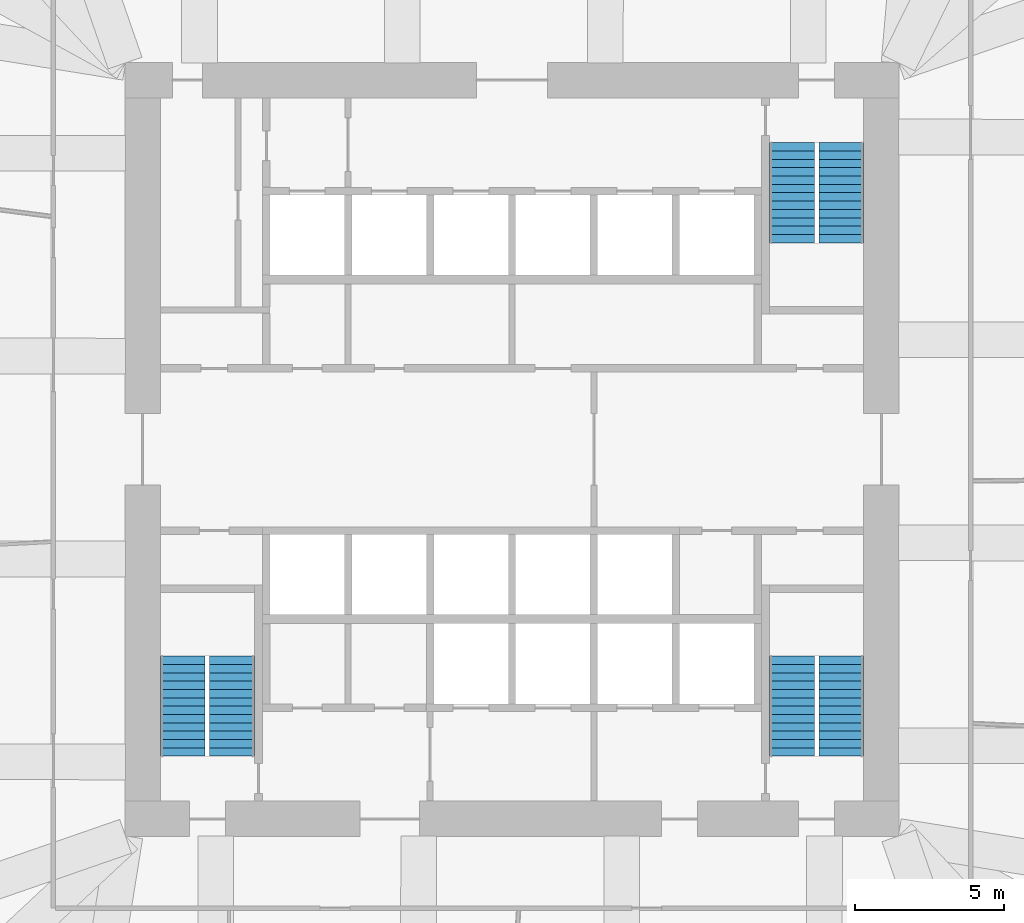
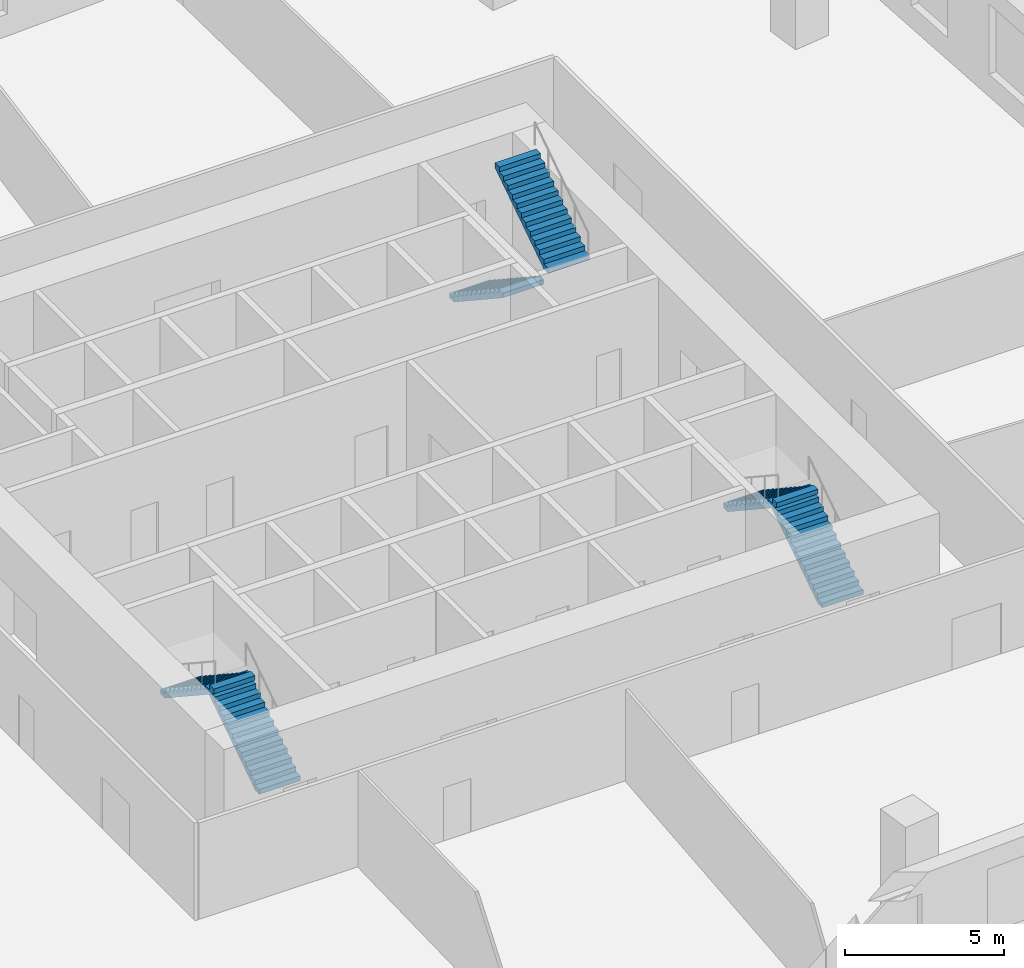
# One storey, part 8 of 10: 6 stair flights, 3 elements without a shape of their own.
"""IFC4 building model written with IfcOpenShell, lengths in metres."""

from ifc_helpers import new_model, si_unit, direction, frame, origin, place, context, subcontext, project, spatial, polyline, outline, extrude, material, type_object, element, aggregate, save


model = new_model("IFC4")

# Units and contexts
model_context = context("Model", 3, precision=1e-05, world=origin(), true_north=direction((0.0, 1.0)))
body_context = subcontext(model_context, "Body", "Model", "MODEL_VIEW")
ifc_project = project(units=[si_unit("LENGTHUNIT", "METRE"), si_unit("AREAUNIT", "SQUARE_METRE"), si_unit("VOLUMEUNIT", "CUBIC_METRE"), si_unit("PLANEANGLEUNIT", "RADIAN"), si_unit("MASSUNIT", "GRAM", prefix="KILO")], contexts=[model_context])

# Site, building, storey
site_placement = place(None, origin())
site = spatial("IfcSite", under=ifc_project, at=site_placement, CompositionType="ELEMENT")
building_placement = place(site_placement, origin())
building = spatial("IfcBuilding", under=site, at=building_placement, Name="Dilmun Exchange Tower", CompositionType="ELEMENT")
storey_placement = place(building_placement, frame((0.0, 0.0, 22.5)))
storey = spatial("IfcBuildingStorey", under=building, at=storey_placement, Name="L05", CompositionType="ELEMENT", Elevation=22.5)

# Stair, stair flights
ifc_material = material(Name="Concrete C40/50", Category="concrete")
stair_type = type_object("IfcStairType", Name="Exit stair 1500 half-turn", PredefinedType="HALF_TURN_STAIR", material=ifc_material)
stair_1_placement = place(storey_placement, origin())
stair_1 = element("IfcStair", 1, at=stair_1_placement, inside=storey, type_object=stair_type, Name="L05 Protected exit stair ST1", PredefinedType="HALF_TURN_STAIR")
stair_flight_type = type_object("IfcStairFlightType", Name="Exit stair flight 1500", PredefinedType="STRAIGHT", material=ifc_material)
stair_flight_1_placement = place(storey_placement, frame((9.39990234375, 10.300048828125, 0.0), z_axis=(0.0, 0.0, 1.0), x_axis=(0.0, -1.0, 0.0)))
stair_flight_1 = element("IfcStairFlight", 2, at=stair_flight_1_placement, type_object=stair_flight_type, Name="ST1 flight 1", NumberOfRisers=13, NumberOfTreads=12, PredefinedType="STRAIGHT", RiserHeight=0.184615385, TreadLength=0.28, context=body_context, shape_type="SweptSolid", body=[
    extrude(outline(polyline([(0.0, 0.0), (0.0, 0.1845703125), (0.280029296875, 0.1845703125), (0.280029296875, 0.369140625), (0.56005859375, 0.369140625), (0.56005859375, 0.553955078125), (0.840087890625, 0.553955078125), (0.840087890625, 0.738525390625), (1.1201171875, 0.738525390625), (1.1201171875, 0.923095703125), (1.39990234375, 0.923095703125), (1.39990234375, 1.107666015625), (1.679931640625, 1.107666015625), (1.679931640625, 1.292236328125), (1.9599609375, 1.292236328125), (1.9599609375, 1.476806640625), (2.239990234375, 1.476806640625), (2.239990234375, 1.66162109375), (2.52001953125, 1.66162109375), (2.52001953125, 1.84619140625), (2.800048828125, 1.84619140625), (2.800048828125, 2.03076171875), (3.080078125, 2.03076171875), (3.080078125, 2.21533203125), (3.360107421875, 2.21533203125), (3.360107421875, 2.39990234375), (3.360107421875, 2.035888671875), (0.272216796875, 0.0), (0.0, 0.0)])), frame((0.0, 0.75, 0.0), z_axis=(0.0, -1.0, 0.0), x_axis=(1.0, 0.0, 0.0)), (0.0, 0.0, 1.0), 1.5),
])
stair_flight_2_placement = place(storey_placement, frame((11.050048828125, 6.93994140625, 2.39990234375), z_axis=(0.0, 0.0, 1.0), x_axis=(0.0, 1.0, 0.0)))
stair_flight_2 = element("IfcStairFlight", 3, at=stair_flight_2_placement, type_object=stair_flight_type, Name="ST1 flight 2", NumberOfRisers=13, NumberOfTreads=12, PredefinedType="STRAIGHT", RiserHeight=0.184615385, TreadLength=0.28, context=body_context, shape_type="SweptSolid", body=[
    extrude(outline(polyline([(0.0, 0.0), (0.0, 0.1845703125), (0.280029296875, 0.1845703125), (0.280029296875, 0.369140625), (0.56005859375, 0.369140625), (0.56005859375, 0.553955078125), (0.840087890625, 0.553955078125), (0.840087890625, 0.738525390625), (1.1201171875, 0.738525390625), (1.1201171875, 0.923095703125), (1.39990234375, 0.923095703125), (1.39990234375, 1.107666015625), (1.679931640625, 1.107666015625), (1.679931640625, 1.292236328125), (1.9599609375, 1.292236328125), (1.9599609375, 1.476806640625), (2.239990234375, 1.476806640625), (2.239990234375, 1.66162109375), (2.52001953125, 1.66162109375), (2.52001953125, 1.84619140625), (2.800048828125, 1.84619140625), (2.800048828125, 2.03076171875), (3.080078125, 2.03076171875), (3.080078125, 2.21533203125), (3.360107421875, 2.21533203125), (3.360107421875, 2.39990234375), (3.360107421875, 2.035888671875), (0.272216796875, 0.0), (0.0, 0.0)])), frame((0.0, 0.75, 0.0), z_axis=(0.0, -1.0, 0.0), x_axis=(1.0, 0.0, 0.0)), (0.0, 0.0, 1.0), 1.5),
])
aggregate(stair_1, [stair_flight_1, stair_flight_2])

stair_2_placement = place(storey_placement, origin())
stair_2 = element("IfcStair", 4, at=stair_2_placement, inside=storey, type_object=stair_type, Name="L05 Protected exit stair ST2", PredefinedType="HALF_TURN_STAIR")
stair_flight_3_placement = place(storey_placement, frame((-9.39990234375, -10.300048828125, 0.0), z_axis=(0.0, 0.0, 1.0), x_axis=(0.0, 1.0, 0.0)))
stair_flight_3 = element("IfcStairFlight", 5, at=stair_flight_3_placement, type_object=stair_flight_type, Name="ST2 flight 1", NumberOfRisers=13, NumberOfTreads=12, PredefinedType="STRAIGHT", RiserHeight=0.184615385, TreadLength=0.28, context=body_context, shape_type="SweptSolid", body=[
    extrude(outline(polyline([(0.0, 0.0), (0.0, 0.1845703125), (0.280029296875, 0.1845703125), (0.280029296875, 0.369140625), (0.56005859375, 0.369140625), (0.56005859375, 0.553955078125), (0.840087890625, 0.553955078125), (0.840087890625, 0.738525390625), (1.1201171875, 0.738525390625), (1.1201171875, 0.923095703125), (1.39990234375, 0.923095703125), (1.39990234375, 1.107666015625), (1.679931640625, 1.107666015625), (1.679931640625, 1.292236328125), (1.9599609375, 1.292236328125), (1.9599609375, 1.476806640625), (2.239990234375, 1.476806640625), (2.239990234375, 1.66162109375), (2.52001953125, 1.66162109375), (2.52001953125, 1.84619140625), (2.800048828125, 1.84619140625), (2.800048828125, 2.03076171875), (3.080078125, 2.03076171875), (3.080078125, 2.21533203125), (3.360107421875, 2.21533203125), (3.360107421875, 2.39990234375), (3.360107421875, 2.035888671875), (0.272216796875, 0.0), (0.0, 0.0)])), frame((0.0, 0.75, 0.0), z_axis=(0.0, -1.0, 0.0), x_axis=(1.0, 0.0, 0.0)), (0.0, 0.0, 1.0), 1.5),
])
stair_flight_4_placement = place(storey_placement, frame((-11.050048828125, -6.93994140625, 2.39990234375), z_axis=(0.0, 0.0, 1.0), x_axis=(0.0, -1.0, 0.0)))
stair_flight_4 = element("IfcStairFlight", 6, at=stair_flight_4_placement, type_object=stair_flight_type, Name="ST2 flight 2", NumberOfRisers=13, NumberOfTreads=12, PredefinedType="STRAIGHT", RiserHeight=0.184615385, TreadLength=0.28, context=body_context, shape_type="SweptSolid", body=[
    extrude(outline(polyline([(0.0, 0.0), (0.0, 0.1845703125), (0.280029296875, 0.1845703125), (0.280029296875, 0.369140625), (0.56005859375, 0.369140625), (0.56005859375, 0.553955078125), (0.840087890625, 0.553955078125), (0.840087890625, 0.738525390625), (1.1201171875, 0.738525390625), (1.1201171875, 0.923095703125), (1.39990234375, 0.923095703125), (1.39990234375, 1.107666015625), (1.679931640625, 1.107666015625), (1.679931640625, 1.292236328125), (1.9599609375, 1.292236328125), (1.9599609375, 1.476806640625), (2.239990234375, 1.476806640625), (2.239990234375, 1.66162109375), (2.52001953125, 1.66162109375), (2.52001953125, 1.84619140625), (2.800048828125, 1.84619140625), (2.800048828125, 2.03076171875), (3.080078125, 2.03076171875), (3.080078125, 2.21533203125), (3.360107421875, 2.21533203125), (3.360107421875, 2.39990234375), (3.360107421875, 2.035888671875), (0.272216796875, 0.0), (0.0, 0.0)])), frame((0.0, 0.75, 0.0), z_axis=(0.0, -1.0, 0.0), x_axis=(1.0, 0.0, 0.0)), (0.0, 0.0, 1.0), 1.5),
])
aggregate(stair_2, [stair_flight_3, stair_flight_4])

stair_3_placement = place(storey_placement, origin())
stair_3 = element("IfcStair", 7, at=stair_3_placement, inside=storey, type_object=stair_type, Name="L05 Protected exit stair ST3", PredefinedType="HALF_TURN_STAIR")
stair_flight_5_placement = place(storey_placement, frame((11.050048828125, -10.300048828125, 0.0), z_axis=(0.0, 0.0, 1.0), x_axis=(0.0, 1.0, 0.0)))
stair_flight_5 = element("IfcStairFlight", 8, at=stair_flight_5_placement, type_object=stair_flight_type, Name="ST3 flight 1", NumberOfRisers=13, NumberOfTreads=12, PredefinedType="STRAIGHT", RiserHeight=0.184615385, TreadLength=0.28, context=body_context, shape_type="SweptSolid", body=[
    extrude(outline(polyline([(0.0, 0.0), (0.0, 0.1845703125), (0.280029296875, 0.1845703125), (0.280029296875, 0.369140625), (0.56005859375, 0.369140625), (0.56005859375, 0.553955078125), (0.840087890625, 0.553955078125), (0.840087890625, 0.738525390625), (1.1201171875, 0.738525390625), (1.1201171875, 0.923095703125), (1.39990234375, 0.923095703125), (1.39990234375, 1.107666015625), (1.679931640625, 1.107666015625), (1.679931640625, 1.292236328125), (1.9599609375, 1.292236328125), (1.9599609375, 1.476806640625), (2.239990234375, 1.476806640625), (2.239990234375, 1.66162109375), (2.52001953125, 1.66162109375), (2.52001953125, 1.84619140625), (2.800048828125, 1.84619140625), (2.800048828125, 2.03076171875), (3.080078125, 2.03076171875), (3.080078125, 2.21533203125), (3.360107421875, 2.21533203125), (3.360107421875, 2.39990234375), (3.360107421875, 2.035888671875), (0.272216796875, 0.0), (0.0, 0.0)])), frame((0.0, 0.75, 0.0), z_axis=(0.0, -1.0, 0.0), x_axis=(1.0, 0.0, 0.0)), (0.0, 0.0, 1.0), 1.5),
])
stair_flight_6_placement = place(storey_placement, frame((9.39990234375, -6.93994140625, 2.39990234375), z_axis=(0.0, 0.0, 1.0), x_axis=(0.0, -1.0, 0.0)))
stair_flight_6 = element("IfcStairFlight", 9, at=stair_flight_6_placement, type_object=stair_flight_type, Name="ST3 flight 2", NumberOfRisers=13, NumberOfTreads=12, PredefinedType="STRAIGHT", RiserHeight=0.184615385, TreadLength=0.28, context=body_context, shape_type="SweptSolid", body=[
    extrude(outline(polyline([(0.0, 0.0), (0.0, 0.1845703125), (0.280029296875, 0.1845703125), (0.280029296875, 0.369140625), (0.56005859375, 0.369140625), (0.56005859375, 0.553955078125), (0.840087890625, 0.553955078125), (0.840087890625, 0.738525390625), (1.1201171875, 0.738525390625), (1.1201171875, 0.923095703125), (1.39990234375, 0.923095703125), (1.39990234375, 1.107666015625), (1.679931640625, 1.107666015625), (1.679931640625, 1.292236328125), (1.9599609375, 1.292236328125), (1.9599609375, 1.476806640625), (2.239990234375, 1.476806640625), (2.239990234375, 1.66162109375), (2.52001953125, 1.66162109375), (2.52001953125, 1.84619140625), (2.800048828125, 1.84619140625), (2.800048828125, 2.03076171875), (3.080078125, 2.03076171875), (3.080078125, 2.21533203125), (3.360107421875, 2.21533203125), (3.360107421875, 2.39990234375), (3.360107421875, 2.035888671875), (0.272216796875, 0.0), (0.0, 0.0)])), frame((0.0, 0.75, 0.0), z_axis=(0.0, -1.0, 0.0), x_axis=(1.0, 0.0, 0.0)), (0.0, 0.0, 1.0), 1.5),
])
aggregate(stair_3, [stair_flight_5, stair_flight_6])

save(model, "model.ifc")
